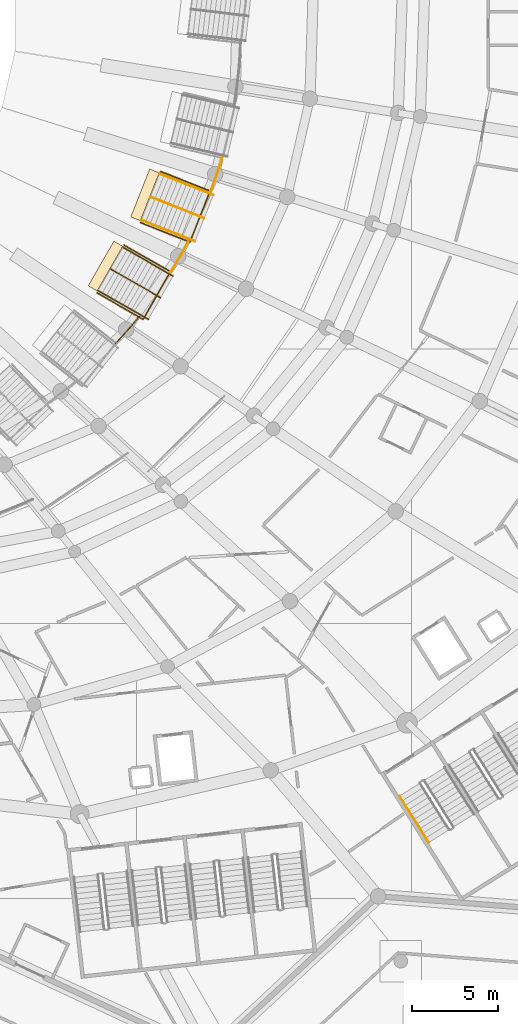
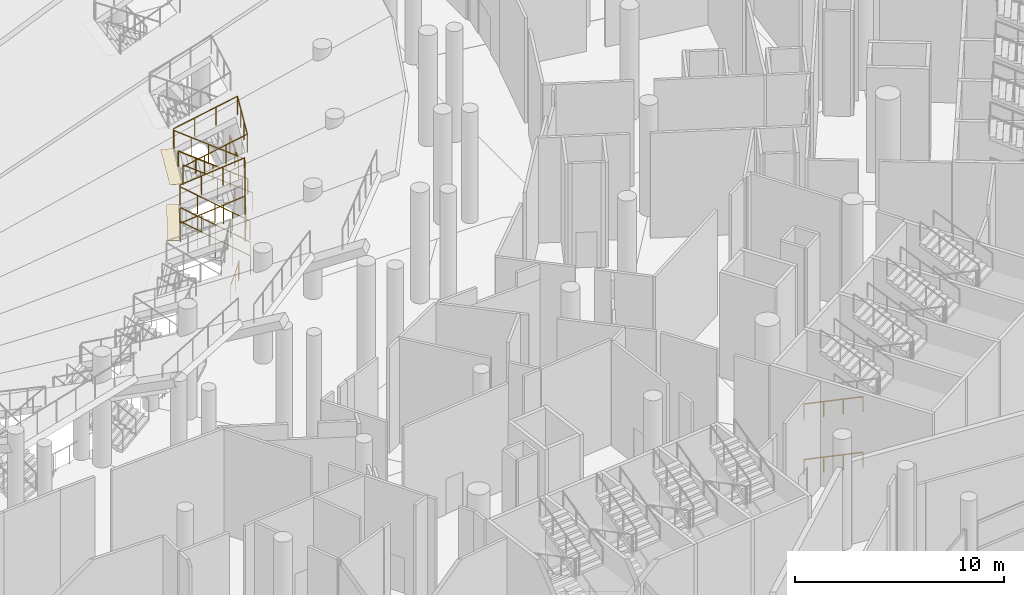
# One storey, part 209 of 255: 13 railings, 2 coverings.
"""IFC4 building model written with IfcOpenShell, lengths in metres."""

from ifc_helpers import new_model, si_unit, direction, frame, origin, origin_2d, place, context, subcontext, project, spatial, rectangle, circle, extrude, material, layer, layer_set, type_object, element, save


model = new_model("IFC4")

# Units and contexts
model_context = context("Model", 3, precision=1e-05, world=origin(), true_north=direction((0.0, 1.0)))
body_context = subcontext(model_context, "Body", "Model", "MODEL_VIEW")
ifc_project = project(units=[si_unit("LENGTHUNIT", "METRE"), si_unit("AREAUNIT", "SQUARE_METRE"), si_unit("VOLUMEUNIT", "CUBIC_METRE"), si_unit("PLANEANGLEUNIT", "RADIAN"), si_unit("MASSUNIT", "GRAM", prefix="KILO")], contexts=[model_context])

# Site, building, storey
site_placement = place(None, origin())
site = spatial("IfcSite", under=ifc_project, at=site_placement, CompositionType="ELEMENT")
building_placement = place(site_placement, origin())
building = spatial("IfcBuilding", under=site, at=building_placement, Name="Meseta Stadium", CompositionType="ELEMENT")
storey_placement = place(building_placement, origin())
storey = spatial("IfcBuildingStorey", under=building, at=storey_placement, Name="L00", CompositionType="ELEMENT", Elevation=0.0)

# Railings
ifc_material_1 = material(Name="Steel S355", Category="steel")
railing_type_1 = type_object("IfcRailingType", Name="Plate edge guard 1100", PredefinedType="GUARDRAIL", material=ifc_material_1)
railing_1_placement = place(storey_placement, frame((46.7734375, -63.698486328125, 0.0)))
element("IfcRailing", 1, at=railing_1_placement, inside=storey, type_object=railing_type_1, Name="L00 inner edge guard 54", PredefinedType="GUARDRAIL", context=body_context, shape_type="SweptSolid", body=[
    extrude(circle(Radius=0.02490234375, at=origin_2d()), frame((0.0, 0.0, 1.0751953125), z_axis=(0.67218256461, 0.740385440047, 0.0), x_axis=(-0.740385440047, 0.67218256461, 0.0)), (0.0, 0.0, 1.0), 1.0166015625),
    extrude(circle(Radius=0.02490234375, at=origin_2d()), frame((0.683349609375, 0.752685546875, 1.0751953125), z_axis=(0.64414431416, 0.76490398256, 0.0), x_axis=(-0.76490398256, 0.64414431416, 0.0)), (0.0, 0.0, 1.0), 0.87744140625),
    extrude(circle(Radius=0.02490234375, at=origin_2d()), frame((1.24853515625, 1.423828125, 1.0751953125), z_axis=(0.619198945774, 0.78523414696, 0.0), x_axis=(-0.78523414696, 0.619198945774, 0.0)), (0.0, 0.0, 1.0), 0.195556640625),
    extrude(circle(Radius=0.02001953125, at=origin_2d()), origin(), (0.0, 0.0, 1.0), 1.050048828125),
    extrude(circle(Radius=0.02001953125, at=origin_2d()), frame((0.683349609375, 0.752685546875, 0.0)), (0.0, 0.0, 1.0), 1.050048828125),
    extrude(circle(Radius=0.02001953125, at=origin_2d()), frame((1.24853515625, 1.423828125, 0.0)), (0.0, 0.0, 1.0), 1.050048828125),
    extrude(circle(Radius=0.02001953125, at=origin_2d()), frame((1.36962890625, 1.577392578125, 0.0)), (0.0, 0.0, 1.0), 1.050048828125),
])
railing_2_placement = place(storey_placement, frame((49.970703125, -59.54931640625, 0.0)))
element("IfcRailing", 2, at=railing_2_placement, inside=storey, type_object=railing_type_1, Name="L00 inner edge guard 55", PredefinedType="GUARDRAIL", context=body_context, shape_type="SweptSolid", body=[
    extrude(circle(Radius=0.02490234375, at=origin_2d()), frame((0.0, 0.0, 1.0751953125), z_axis=(0.515642650874, 0.856803744506, 0.0), x_axis=(-0.856803744506, 0.515642650874, 0.0)), (0.0, 0.0, 1.0), 1.03271484375),
    extrude(circle(Radius=0.02490234375, at=origin_2d()), frame((0.532470703125, 0.884765625, 1.0751953125), z_axis=(0.478162381039, 0.878271448562, 0.0), x_axis=(-0.878271448562, 0.478162381039, 0.0)), (0.0, 0.0, 1.0), 1.066650390625),
    extrude(circle(Radius=0.02001953125, at=origin_2d()), origin(), (0.0, 0.0, 1.0), 1.050048828125),
    extrude(circle(Radius=0.02001953125, at=origin_2d()), frame((0.532470703125, 0.884765625, 0.0)), (0.0, 0.0, 1.0), 1.050048828125),
    extrude(circle(Radius=0.02001953125, at=origin_2d()), frame((1.04248046875, 1.821533203125, 0.0)), (0.0, 0.0, 1.0), 1.050048828125),
])
railing_3_placement = place(storey_placement, frame((52.302001953125, -54.860595703125, 0.0)))
element("IfcRailing", 3, at=railing_3_placement, inside=storey, type_object=railing_type_1, Name="L00 inner edge guard 56", PredefinedType="GUARDRAIL", context=body_context, shape_type="SweptSolid", body=[
    extrude(circle(Radius=0.02490234375, at=origin_2d()), frame((0.0, 0.0, 1.0751953125), z_axis=(0.339552833225, 0.940586983457, 0.0), x_axis=(-0.940586983457, 0.339552833225, 0.0)), (0.0, 0.0, 1.0), 1.047607421875),
    extrude(circle(Radius=0.02490234375, at=origin_2d()), frame((0.355712890625, 0.9853515625, 1.0751953125), z_axis=(0.298367036713, 0.954451209546, 0.0), x_axis=(-0.954451209546, 0.298367036713, 0.0)), (0.0, 0.0, 1.0), 1.05712890625),
    extrude(circle(Radius=0.02001953125, at=origin_2d()), origin(), (0.0, 0.0, 1.0), 1.050048828125),
    extrude(circle(Radius=0.02001953125, at=origin_2d()), frame((0.355712890625, 0.9853515625, 0.0)), (0.0, 0.0, 1.0), 1.050048828125),
    extrude(circle(Radius=0.02001953125, at=origin_2d()), frame((0.671142578125, 1.994384765625, 0.0)), (0.0, 0.0, 1.0), 1.050048828125),
])
ifc_material_2 = material(Name="Steel S355", Category="steel")
railing_type_2 = type_object("IfcRailingType", Name="Stair handrail 900", PredefinedType="HANDRAIL", material=ifc_material_2)
for number, where, name in (
    (4, (63.2998046875, -90.03173828125, 0.147705078125), "ST105 L00 handrail 1"),
    (5, (63.2998046875, -90.03173828125, 3.397705078125), "ST105 L00 handrail 3"),
):
    element("IfcRailing", number, at=place(storey_placement, frame(where)), inside=storey, type_object=railing_type_2, Name=name, PredefinedType="HANDRAIL", context=body_context, shape_type="SweptSolid", body=[
        extrude(circle(Radius=0.02392578125, at=origin_2d()), frame((0.0, 0.0, 0.8759765625), z_axis=(0.483050316844, -0.768766198258, 0.419119223864), x_axis=(0.846722959343, 0.532034049776, 0.0)), (0.0, 0.0, 1.0), 3.524658203125),
        extrude(circle(Radius=0.02099609375, at=origin_2d()), origin(), (0.0, 0.0, 1.0), 0.851806640625),
        extrude(circle(Radius=0.02099609375, at=origin_2d()), frame((0.567626953125, -0.9033203125, 0.492431640625)), (0.0, 0.0, 1.0), 0.851806640625),
        extrude(circle(Radius=0.02099609375, at=origin_2d()), frame((1.135009765625, -1.806396484375, 0.98486328125)), (0.0, 0.0, 1.0), 0.851806640625),
        extrude(circle(Radius=0.02099609375, at=origin_2d()), frame((1.70263671875, -2.709716796875, 1.477294921875)), (0.0, 0.0, 1.0), 0.851806640625),
    ])

# Coverings
ifc_material_3 = material(Name="Stone paving", Category="masonry")
ifc_layer = layer(ifc_material_3, 0.02001953125)
ifc_layer_set = layer_set([ifc_layer], Name="Vomitory exit threshold plate 20")
covering_type = type_object("IfcCoveringType", Name="Vomitory exit threshold plate 20", PredefinedType="FLOORING", material=ifc_layer_set)
for number, where, z_axis, x_axis, name in (
    (6, (46.180908203125, -59.187744140625, 2.168212890625), (0.0, 0.0, 1.0), (-0.867711670531, 0.497067859376, 0.0), "Vomitory V-lower-54 exit threshold"),
    (7, (48.48193359375, -55.041748046875, 2.11767578125), (0.0, 0.0, 1.0), (-0.930263326339, 0.366892550576, 0.0), "Vomitory V-lower-55 exit threshold"),
):
    element("IfcCovering", number, at=place(storey_placement, frame(where, z_axis=z_axis, x_axis=x_axis)), inside=storey, type_object=covering_type, Name=name, PredefinedType="FLOORING", context=body_context, shape_type="SweptSolid", body=[
        extrude(rectangle(XDim=0.60009765625, YDim=3.0, at=origin_2d()), origin(), (0.0, 0.0, 1.0), 0.02001953125),
    ])

# Railings
ifc_material_4 = material(Name="Steel S355", Category="steel")
railing_type_3 = type_object("IfcRailingType", Name="Vomitory slot guard 1100", PredefinedType="GUARDRAIL", material=ifc_material_4)
railing_4_placement = place(storey_placement, frame((47.272216796875, -57.968994140625, 2.188232421875)))
element("IfcRailing", 8, at=railing_4_placement, inside=storey, type_object=railing_type_3, Name="Vomitory V-lower-54 slot guard", PredefinedType="GUARDRAIL", context=body_context, shape_type="SweptSolid", body=[
    extrude(circle(Radius=0.02490234375, at=origin_2d()), frame((0.0, 0.0, 1.0751953125), z_axis=(0.772976524141, -0.442823363621, 0.454328913627), x_axis=(0.497088522993, 0.867699833069, 0.0)), (0.0, 0.0, 1.0), 3.47998046875),
    extrude(circle(Radius=0.02490234375, at=origin_2d()), frame((2.68994140625, -1.541015625, 2.65625), z_axis=(-0.497124557531, -0.867679188583, 0.0), x_axis=(0.867679188583, -0.497124557531, 0.0)), (0.0, 0.0, 1.0), 3.199951171875),
    extrude(circle(Radius=0.02490234375, at=origin_2d()), frame((1.09912109375, -4.317626953125, 2.65625), z_axis=(-0.773000537129, 0.442766962227, -0.454343027632), x_axis=(-0.49702922619, -0.867733800375, 0.0)), (0.0, 0.0, 1.0), 3.47998046875),
    extrude(circle(Radius=0.02001953125, at=origin_2d()), origin(), (0.0, 0.0, 1.0), 1.050048828125),
    extrude(circle(Radius=0.02001953125, at=origin_2d()), frame((0.896728515625, -0.513671875, 0.527099609375)), (0.0, 0.0, 1.0), 1.050048828125),
    extrude(circle(Radius=0.02001953125, at=origin_2d()), frame((1.793212890625, -1.02734375, 1.053955078125)), (0.0, 0.0, 1.0), 1.050048828125),
    extrude(circle(Radius=0.02001953125, at=origin_2d()), frame((2.68994140625, -1.541015625, 1.5810546875)), (0.0, 0.0, 1.0), 1.050048828125),
    extrude(circle(Radius=0.02001953125, at=origin_2d()), frame((2.15966796875, -2.466552734375, 1.5810546875)), (0.0, 0.0, 1.0), 1.050048828125),
    extrude(circle(Radius=0.02001953125, at=origin_2d()), frame((1.62939453125, -3.39208984375, 1.5810546875)), (0.0, 0.0, 1.0), 1.050048828125),
    extrude(circle(Radius=0.02001953125, at=origin_2d()), frame((1.09912109375, -4.317626953125, 1.5810546875)), (0.0, 0.0, 1.0), 1.050048828125),
    extrude(circle(Radius=0.02001953125, at=origin_2d()), frame((0.202392578125, -3.803955078125, 1.053955078125)), (0.0, 0.0, 1.0), 1.050048828125),
    extrude(circle(Radius=0.02001953125, at=origin_2d()), frame((-0.694091796875, -3.29052734375, 0.527099609375)), (0.0, 0.0, 1.0), 1.050048828125),
    extrude(circle(Radius=0.02001953125, at=origin_2d()), frame((-1.5908203125, -2.77685546875, 0.0)), (0.0, 0.0, 1.0), 1.050048828125),
])
railing_5_placement = place(storey_placement, frame((49.38623046875, -53.678466796875, 2.1376953125)))
element("IfcRailing", 9, at=railing_5_placement, inside=storey, type_object=railing_type_3, Name="Vomitory V-lower-55 slot guard", PredefinedType="GUARDRAIL", context=body_context, shape_type="SweptSolid", body=[
    extrude(circle(Radius=0.02490234375, at=origin_2d()), frame((0.0, 0.0, 1.0751953125), z_axis=(0.828745013514, -0.326853721998, 0.454255816685), x_axis=(0.366892194359, 0.93026346683, 0.0)), (0.0, 0.0, 1.0), 3.47998046875),
    extrude(circle(Radius=0.02490234375, at=origin_2d()), frame((2.884033203125, -1.137451171875, 2.65576171875), z_axis=(-0.366926787792, -0.930249822575, 0.0), x_axis=(0.930249822575, -0.366926787792, 0.0)), (0.0, 0.0, 1.0), 3.19970703125),
    extrude(circle(Radius=0.02490234375, at=origin_2d()), frame((1.7099609375, -4.114013671875, 2.65576171875), z_axis=(-0.828742044114, 0.326810061081, -0.454292646092), x_axis=(-0.366850918645, -0.930279744748, 0.0)), (0.0, 0.0, 1.0), 3.479736328125),
    extrude(circle(Radius=0.02001953125, at=origin_2d()), origin(), (0.0, 0.0, 1.0), 1.050048828125),
    extrude(circle(Radius=0.02001953125, at=origin_2d()), frame((0.96142578125, -0.379150390625, 0.52685546875)), (0.0, 0.0, 1.0), 1.050048828125),
    extrude(circle(Radius=0.02001953125, at=origin_2d()), frame((1.922607421875, -0.75830078125, 1.053955078125)), (0.0, 0.0, 1.0), 1.050048828125),
    extrude(circle(Radius=0.02001953125, at=origin_2d()), frame((2.884033203125, -1.137451171875, 1.580810546875)), (0.0, 0.0, 1.0), 1.050048828125),
    extrude(circle(Radius=0.02001953125, at=origin_2d()), frame((2.49267578125, -2.129638671875, 1.580810546875)), (0.0, 0.0, 1.0), 1.050048828125),
    extrude(circle(Radius=0.02001953125, at=origin_2d()), frame((2.101318359375, -3.121826171875, 1.580810546875)), (0.0, 0.0, 1.0), 1.050048828125),
    extrude(circle(Radius=0.02001953125, at=origin_2d()), frame((1.7099609375, -4.114013671875, 1.580810546875)), (0.0, 0.0, 1.0), 1.050048828125),
    extrude(circle(Radius=0.02001953125, at=origin_2d()), frame((0.748779296875, -3.73486328125, 1.053955078125)), (0.0, 0.0, 1.0), 1.050048828125),
    extrude(circle(Radius=0.02001953125, at=origin_2d()), frame((-0.212646484375, -3.35595703125, 0.52685546875)), (0.0, 0.0, 1.0), 1.050048828125),
    extrude(circle(Radius=0.02001953125, at=origin_2d()), frame((-1.173828125, -2.976806640625, 0.0)), (0.0, 0.0, 1.0), 1.050048828125),
])
ifc_material_5 = material(Name="Steel S355", Category="steel")
railing_type_4 = type_object("IfcRailingType", Name="Vomitory stair guard 1100", PredefinedType="GUARDRAIL", material=ifc_material_5)
for number, where, name in (
    (10, (48.671630859375, -62.28564453125, 0.168212890625), "Vomitory V-lower-54 guard left"),
    (11, (50.113037109375, -59.769287109375, 0.168212890625), "Vomitory V-lower-54 guard right"),
):
    element("IfcRailing", number, at=place(storey_placement, frame(where)), inside=storey, type_object=railing_type_4, Name=name, PredefinedType="GUARDRAIL", context=body_context, shape_type="SweptSolid", body=[
        extrude(circle(Radius=0.02490234375, at=origin_2d()), frame((0.0, 0.0, 1.0751953125), z_axis=(-0.743664228434, 0.426009628765, 0.515246845257), x_axis=(-0.497069824049, -0.867710545066, 0.0)), (0.0, 0.0, 1.0), 3.92041015625),
        extrude(circle(Radius=0.02001953125, at=origin_2d()), origin(), (0.0, 0.0, 1.0), 1.050048828125),
        extrude(circle(Radius=0.02001953125, at=origin_2d()), frame((-0.72900390625, 0.41748046875, 0.5048828125)), (0.0, 0.0, 1.0), 1.050048828125),
        extrude(circle(Radius=0.02001953125, at=origin_2d()), frame((-1.457763671875, 0.8349609375, 1.010009765625)), (0.0, 0.0, 1.0), 1.050048828125),
        extrude(circle(Radius=0.02001953125, at=origin_2d()), frame((-2.1865234375, 1.252685546875, 1.51513671875)), (0.0, 0.0, 1.0), 1.050048828125),
        extrude(circle(Radius=0.02001953125, at=origin_2d()), frame((-2.91552734375, 1.670166015625, 2.02001953125)), (0.0, 0.0, 1.0), 1.050048828125),
    ])
railing_6_placement = place(storey_placement, frame((51.39306640625, -57.74853515625, 0.164306640625)))
element("IfcRailing", 12, at=railing_6_placement, inside=storey, type_object=railing_type_4, Name="Vomitory V-lower-55 guard left", PredefinedType="GUARDRAIL", context=body_context, shape_type="SweptSolid", body=[
    extrude(circle(Radius=0.02490234375, at=origin_2d()), frame((0.0, 0.0, 1.0751953125), z_axis=(-0.802141657054, 0.31639579537, 0.50642123049), x_axis=(-0.366926648548, -0.930249877498, 0.0)), (0.0, 0.0, 1.0), 3.896728515625),
    extrude(circle(Radius=0.02001953125, at=origin_2d()), origin(), (0.0, 0.0, 1.0), 1.050048828125),
    extrude(circle(Radius=0.02001953125, at=origin_2d()), frame((-0.781494140625, 0.30810546875, 0.493408203125)), (0.0, 0.0, 1.0), 1.050048828125),
    extrude(circle(Radius=0.02001953125, at=origin_2d()), frame((-1.56298828125, 0.616455078125, 0.98681640625)), (0.0, 0.0, 1.0), 1.050048828125),
    extrude(circle(Radius=0.02001953125, at=origin_2d()), frame((-2.34423828125, 0.9248046875, 1.47998046875)), (0.0, 0.0, 1.0), 1.050048828125),
    extrude(circle(Radius=0.02001953125, at=origin_2d()), frame((-3.125732421875, 1.23291015625, 1.973388671875)), (0.0, 0.0, 1.0), 1.050048828125),
])
railing_7_placement = place(storey_placement, frame((52.45703125, -55.05078125, 0.164306640625)))
element("IfcRailing", 13, at=railing_7_placement, inside=storey, type_object=railing_type_4, Name="Vomitory V-lower-55 guard right", PredefinedType="GUARDRAIL", context=body_context, shape_type="SweptSolid", body=[
    extrude(circle(Radius=0.02490234375, at=origin_2d()), frame((0.0, 0.0, 1.0751953125), z_axis=(-0.80215755683, 0.316339412984, 0.506431268598), x_axis=(-0.366863769713, -0.930274676895, 0.0)), (0.0, 0.0, 1.0), 3.896728515625),
    extrude(circle(Radius=0.02001953125, at=origin_2d()), origin(), (0.0, 0.0, 1.0), 1.050048828125),
    extrude(circle(Radius=0.02001953125, at=origin_2d()), frame((-0.781494140625, 0.30810546875, 0.493408203125)), (0.0, 0.0, 1.0), 1.050048828125),
    extrude(circle(Radius=0.02001953125, at=origin_2d()), frame((-1.56298828125, 0.6162109375, 0.98681640625)), (0.0, 0.0, 1.0), 1.050048828125),
    extrude(circle(Radius=0.02001953125, at=origin_2d()), frame((-2.34423828125, 0.924560546875, 1.47998046875)), (0.0, 0.0, 1.0), 1.050048828125),
    extrude(circle(Radius=0.02001953125, at=origin_2d()), frame((-3.125732421875, 1.232666015625, 1.973388671875)), (0.0, 0.0, 1.0), 1.050048828125),
])
ifc_material_6 = material(Name="Steel S355", Category="steel")
railing_type_5 = type_object("IfcRailingType", Name="Vomitory stair handrail 900", PredefinedType="HANDRAIL", material=ifc_material_6)
railing_8_placement = place(storey_placement, frame((49.392333984375, -61.027587890625, 0.168212890625)))
element("IfcRailing", 14, at=railing_8_placement, inside=storey, type_object=railing_type_5, Name="Vomitory V-lower-54 central handrail", PredefinedType="HANDRAIL", context=body_context, shape_type="SweptSolid", body=[
    extrude(circle(Radius=0.02490234375, at=origin_2d()), frame((0.0, 0.0, 0.875), z_axis=(-0.743664228434, 0.426009628765, 0.515246845257), x_axis=(-0.497069824049, -0.867710545066, 0.0)), (0.0, 0.0, 1.0), 3.92041015625),
    extrude(circle(Radius=0.02001953125, at=origin_2d()), origin(), (0.0, 0.0, 1.0), 0.849853515625),
    extrude(circle(Radius=0.02001953125, at=origin_2d()), frame((-0.72900390625, 0.41748046875, 0.5048828125)), (0.0, 0.0, 1.0), 0.849853515625),
    extrude(circle(Radius=0.02001953125, at=origin_2d()), frame((-1.457763671875, 0.8349609375, 1.010009765625)), (0.0, 0.0, 1.0), 0.849853515625),
    extrude(circle(Radius=0.02001953125, at=origin_2d()), frame((-2.1865234375, 1.252685546875, 1.51513671875)), (0.0, 0.0, 1.0), 0.849853515625),
    extrude(circle(Radius=0.02001953125, at=origin_2d()), frame((-2.91552734375, 1.670166015625, 2.02001953125)), (0.0, 0.0, 1.0), 0.849853515625),
])
railing_9_placement = place(storey_placement, frame((51.925048828125, -56.399658203125, 0.164306640625)))
element("IfcRailing", 15, at=railing_9_placement, inside=storey, type_object=railing_type_5, Name="Vomitory V-lower-55 central handrail", PredefinedType="HANDRAIL", context=body_context, shape_type="SweptSolid", body=[
    extrude(circle(Radius=0.02490234375, at=origin_2d()), frame((0.0, 0.0, 0.875), z_axis=(-0.80215755683, 0.316339412984, 0.506431268598), x_axis=(-0.366863769713, -0.930274676895, 0.0)), (0.0, 0.0, 1.0), 3.896728515625),
    extrude(circle(Radius=0.02001953125, at=origin_2d()), origin(), (0.0, 0.0, 1.0), 0.849853515625),
    extrude(circle(Radius=0.02001953125, at=origin_2d()), frame((-0.781494140625, 0.30810546875, 0.493408203125)), (0.0, 0.0, 1.0), 0.849853515625),
    extrude(circle(Radius=0.02001953125, at=origin_2d()), frame((-1.56298828125, 0.6162109375, 0.98681640625)), (0.0, 0.0, 1.0), 0.849853515625),
    extrude(circle(Radius=0.02001953125, at=origin_2d()), frame((-2.34423828125, 0.924560546875, 1.47998046875)), (0.0, 0.0, 1.0), 0.849853515625),
    extrude(circle(Radius=0.02001953125, at=origin_2d()), frame((-3.125732421875, 1.232666015625, 1.973388671875)), (0.0, 0.0, 1.0), 0.849853515625),
])

save(model, "model.ifc")
